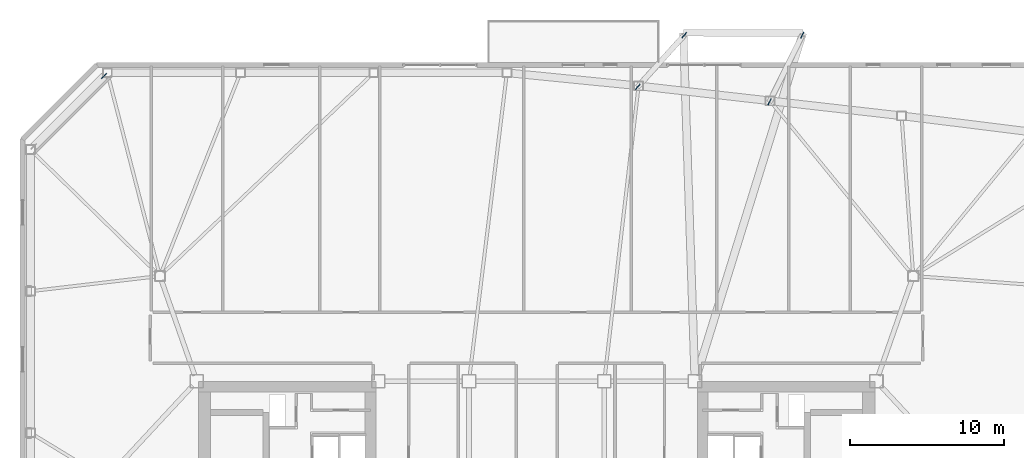
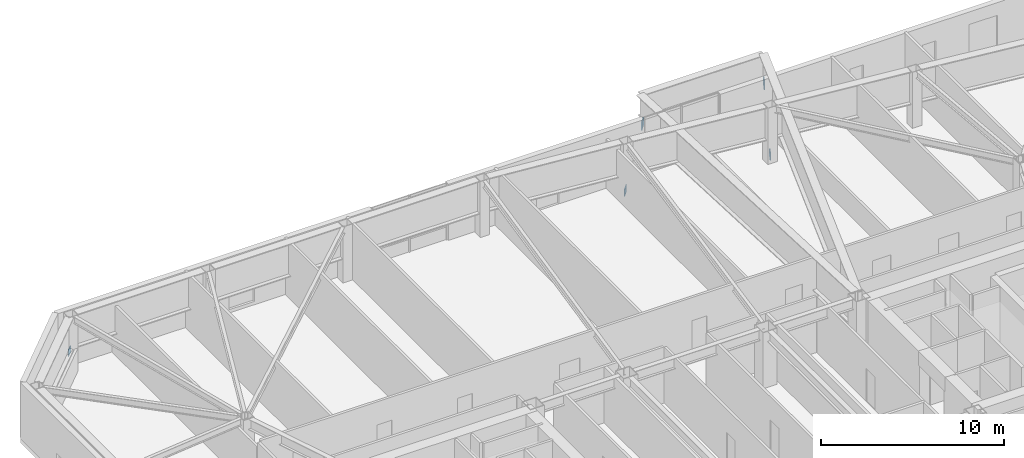
# One storey, part 16 of 19: 5 discrete accessories.
"""IFC4 building model written with IfcOpenShell, lengths in metres."""

from ifc_helpers import new_model, si_unit, direction, frame, origin, origin_2d, place, context, subcontext, project, spatial, rectangle, extrude, material, type_object, element, save


model = new_model("IFC4")

# Units and contexts
model_context = context("Model", 3, precision=1e-05, world=origin(), true_north=direction((0.0, 1.0)))
body_context = subcontext(model_context, "Body", "Model", "MODEL_VIEW")
ifc_project = project(units=[si_unit("LENGTHUNIT", "METRE"), si_unit("AREAUNIT", "SQUARE_METRE"), si_unit("VOLUMEUNIT", "CUBIC_METRE"), si_unit("PLANEANGLEUNIT", "RADIAN"), si_unit("MASSUNIT", "GRAM", prefix="KILO")], contexts=[model_context])

# Site, building, storey
site_placement = place(None, origin())
site = spatial("IfcSite", under=ifc_project, at=site_placement, CompositionType="ELEMENT")
building_placement = place(site_placement, origin())
building = spatial("IfcBuilding", under=site, at=building_placement, Name="Tavrogorsk Clinical Tower", CompositionType="ELEMENT")
storey_placement = place(building_placement, frame((0.0, 0.0, 172.199951171875)))
storey = spatial("IfcBuildingStorey", under=building, at=storey_placement, Name="L39", CompositionType="ELEMENT", Elevation=172.199951171875)

# Discrete accessories
ifc_material = material(Name="Structural steel S440", Category="steel")
discrete_accessory_type = type_object("IfcDiscreteAccessoryType", Name="GussetPlateBracket_25", PredefinedType="BRACKET", material=ifc_material)
for number, where, z_axis, x_axis, name in (
    (1, (-28.134765625, 26.205322265625, 1.208984375), (0.0, 0.0, 1.0), (0.707106781187, 0.707106781187, 0.0), "L39 Brace Gusset Plate EXOCRN-L39-3-B"),
    (2, (6.5830078125, 25.509765625, 0.196533203125), (0.0, 0.0, 1.0), (0.669649256215, 0.742677503127, 0.0), "L39 Brace Gusset Plate DRB-06-STRUT-L-L40-A"),
):
    element("IfcDiscreteAccessory", number, at=place(storey_placement, frame(where, z_axis=z_axis, x_axis=x_axis)), inside=storey, type_object=discrete_accessory_type, Name=name, PredefinedType="BRACKET", context=body_context, shape_type="SweptSolid", body=[
        extrude(rectangle(XDim=0.4599609375, YDim=0.0400390625, at=origin_2d()), origin(), (0.0, 0.0, 1.0), 0.4599609375),
    ])
discrete_accessory_1_placement = place(storey_placement, frame((9.601318359375, 28.856689453125, 1.533447265625), z_axis=(0.0, 0.0, 1.0), x_axis=(0.669649256215, 0.742677503127, 0.0)))
element("IfcDiscreteAccessory", 3, at=discrete_accessory_1_placement, inside=storey, type_object=discrete_accessory_type, Name="L39 Brace Gusset Plate DRB-06-STRUT-L-L40-B", PredefinedType="BRACKET", context=body_context, shape_type="SweptSolid", body=[
    extrude(rectangle(XDim=0.4599609375, YDim=0.0400390625, at=origin_2d()), origin(), (0.0, 0.0, 1.0), 0.56005859375),
])
discrete_accessory_2_placement = place(storey_placement, frame((15.152099609375, 24.523193359375, 0.197998046875), z_axis=(0.0, 0.0, 1.0), x_axis=(0.440409315668, 0.897797101061, 0.0)))
element("IfcDiscreteAccessory", 4, at=discrete_accessory_2_placement, inside=storey, type_object=discrete_accessory_type, Name="L39 Brace Gusset Plate DRB-06-STRUT-R-L40-A", PredefinedType="BRACKET", context=body_context, shape_type="SweptSolid", body=[
    extrude(rectangle(XDim=0.4599609375, YDim=0.0400390625, at=origin_2d()), origin(), (0.0, 0.0, 1.0), 0.4599609375),
])
discrete_accessory_3_placement = place(storey_placement, frame((17.283935546875, 28.869140625, 1.531982421875), z_axis=(0.0, 0.0, 1.0), x_axis=(0.440409315668, 0.897797101061, 0.0)))
element("IfcDiscreteAccessory", 5, at=discrete_accessory_3_placement, inside=storey, type_object=discrete_accessory_type, Name="L39 Brace Gusset Plate DRB-06-STRUT-R-L40-B", PredefinedType="BRACKET", context=body_context, shape_type="SweptSolid", body=[
    extrude(rectangle(XDim=0.4599609375, YDim=0.0400390625, at=origin_2d()), origin(), (0.0, 0.0, 1.0), 0.56005859375),
])

save(model, "model.ifc")
